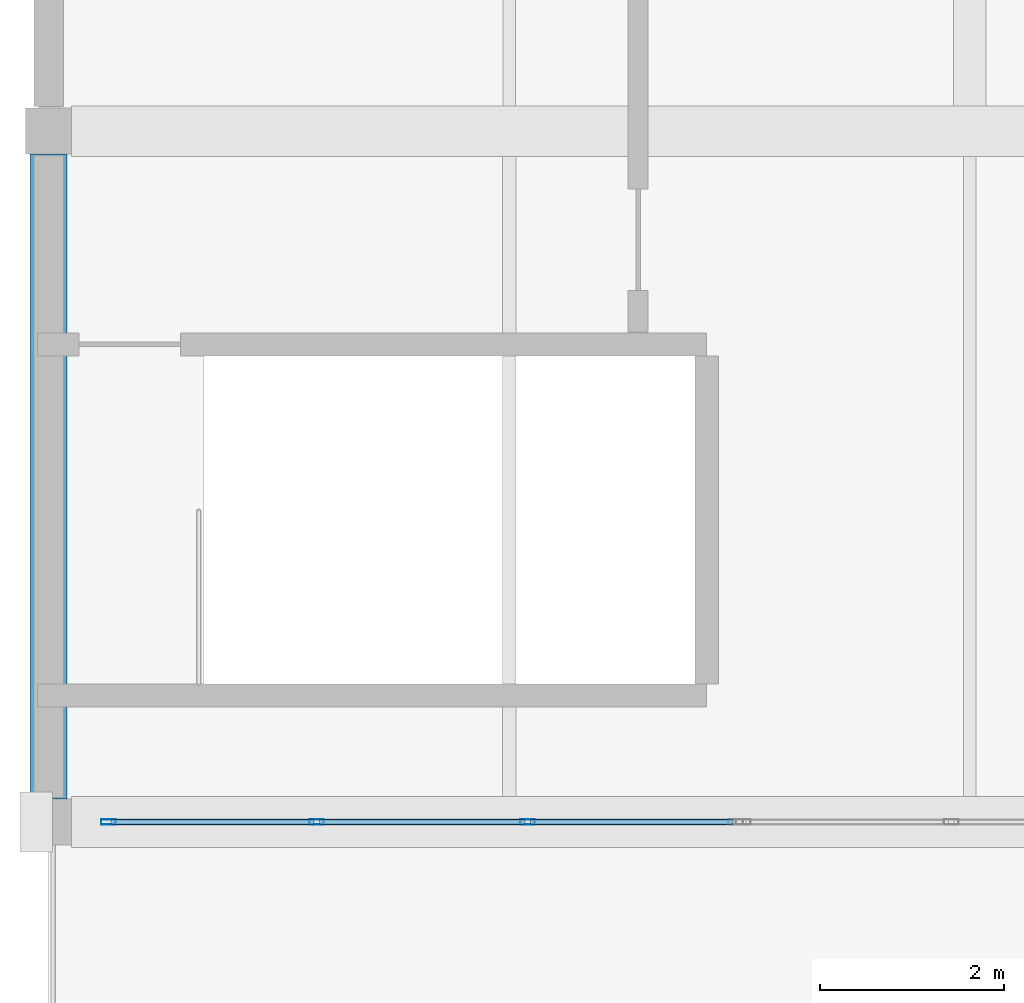
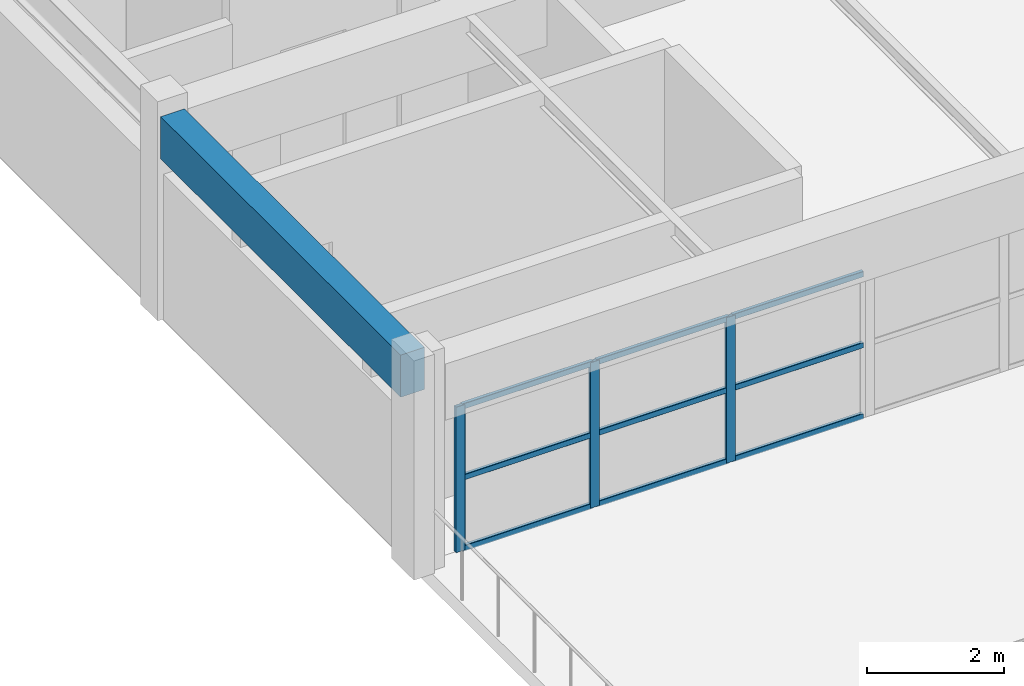
# One storey, part 2 of 82: 12 members, 1 beam, 1 element without a shape of its own.
"""IFC4 building model written with IfcOpenShell, lengths in metres."""

from ifc_helpers import new_model, si_unit, direction, frame, origin, origin_2d, place, context, subcontext, project, spatial, rectangle, hollow_rectangle, extrude, material, material_profile, profile_set, type_object, element, aggregate, save


model = new_model("IFC4")

# Units and contexts
model_context = context("Model", 3, precision=1e-05, world=origin(), true_north=direction((0.0, 1.0)))
body_context = subcontext(model_context, "Body", "Model", "MODEL_VIEW")
ifc_project = project(units=[si_unit("LENGTHUNIT", "METRE"), si_unit("AREAUNIT", "SQUARE_METRE"), si_unit("VOLUMEUNIT", "CUBIC_METRE"), si_unit("PLANEANGLEUNIT", "RADIAN"), si_unit("MASSUNIT", "GRAM", prefix="KILO")], contexts=[model_context])

# Site, building, storey
site_placement = place(None, origin())
site = spatial("IfcSite", under=ifc_project, at=site_placement, CompositionType="ELEMENT")
building_placement = place(site_placement, origin())
building = spatial("IfcBuilding", under=site, at=building_placement, Name="Qasida Concert Hall", CompositionType="ELEMENT")
storey_placement = place(building_placement, frame((0.0, 0.0, 17.10009765625)))
storey = spatial("IfcBuildingStorey", under=building, at=storey_placement, Name="L04", CompositionType="ELEMENT", Elevation=17.10009765625)

# Beam
ifc_material_1 = material(Name="Concrete C40/50", Category="concrete")
ifc_material_profile_1 = material_profile(ifc_material_1, rectangle(XDim=0.39990234375, YDim=0.75, at=origin_2d()), Name="RC 400x750")
ifc_profile_set_1 = profile_set([ifc_material_profile_1], Name="Concrete C40/50")
beam_type = type_object("IfcBeamType", Name="BM-SP1", PredefinedType="SPANDREL", material=ifc_profile_set_1)
beam_placement = place(storey_placement, frame((0.0, 22.75, 3.244873046875), z_axis=(0.0, 1.0, 0.0), x_axis=(-1.0, 0.0, 0.0)))
element("IfcBeam", 1, at=beam_placement, inside=storey, type_object=beam_type, Name="L04 girder 1903", PredefinedType="SPANDREL", context=body_context, shape_type="SweptSolid", body=[
    extrude(rectangle(XDim=0.39990234375, YDim=0.75, at=origin_2d()), origin(), (0.0, 0.0, 1.0), 7.0),
])

# Curtain wall, members
ifc_material_2 = material(Name="Architectural bronze-anodized aluminium and low-E glass", Category="aluminium")
curtain_wall_type = type_object("IfcCurtainWallType", Name="CW-12", PredefinedType="NOTDEFINED", material=ifc_material_2)
curtain_wall_placement = place(storey_placement, origin())
curtain_wall = element("IfcCurtainWall", 2, at=curtain_wall_placement, inside=storey, type_object=curtain_wall_type, Name="L04 curtain wall CW-12 0130", PredefinedType="NOTDEFINED")
ifc_material_3 = material(Name="Architectural bronze-anodized aluminium EN AW-6063", Category="aluminium")
ifc_material_profile_2 = material_profile(ifc_material_3, hollow_rectangle(XDim=0.06005859375, YDim=0.159912109375, WallThickness=0.00390625, InnerFilletRadius=0.00390625, OuterFilletRadius=0.008056640625, at=origin_2d()), Name="CWM 160x60x4")
ifc_profile_set_2 = profile_set([ifc_material_profile_2], Name="Architectural bronze-anodized aluminium EN AW-6063")
member_type_1 = type_object("IfcMemberType", Name="MB-CWM-3", PredefinedType="MULLION", material=ifc_profile_set_2)
member_1_placement = place(storey_placement, frame((0.64990234375, 22.5, 0.0), z_axis=(0.0, 0.0, 1.0), x_axis=(0.0, 1.0, 0.0)))
member_1 = element("IfcMember", 3, at=member_1_placement, type_object=member_type_1, Name="CW-12 mullion 1", PredefinedType="MULLION", context=body_context, shape_type="SweptSolid", body=[
    extrude(hollow_rectangle(XDim=0.06005859375, YDim=0.159912109375, WallThickness=0.00390625, InnerFilletRadius=0.00390625, OuterFilletRadius=0.008056640625, at=origin_2d()), origin(), (0.0, 0.0, 1.0), 2.58984375),
])
member_2_placement = place(storey_placement, frame((2.909912109375, 22.5, 0.0), z_axis=(0.0, 0.0, 1.0), x_axis=(0.0, 1.0, 0.0)))
member_2 = element("IfcMember", 4, at=member_2_placement, type_object=member_type_1, Name="CW-12 mullion 2", PredefinedType="MULLION", context=body_context, shape_type="SweptSolid", body=[
    extrude(hollow_rectangle(XDim=0.06005859375, YDim=0.159912109375, WallThickness=0.00390625, InnerFilletRadius=0.00390625, OuterFilletRadius=0.008056640625, at=origin_2d()), origin(), (0.0, 0.0, 1.0), 2.58984375),
])
member_3_placement = place(storey_placement, frame((5.199951171875, 22.5, 0.0), z_axis=(0.0, 0.0, 1.0), x_axis=(0.0, 1.0, 0.0)))
member_3 = element("IfcMember", 5, at=member_3_placement, type_object=member_type_1, Name="CW-12 mullion 3", PredefinedType="MULLION", context=body_context, shape_type="SweptSolid", body=[
    extrude(hollow_rectangle(XDim=0.06005859375, YDim=0.159912109375, WallThickness=0.00390625, InnerFilletRadius=0.00390625, OuterFilletRadius=0.008056640625, at=origin_2d()), origin(), (0.0, 0.0, 1.0), 2.58984375),
])
ifc_material_profile_3 = material_profile(ifc_material_3, hollow_rectangle(XDim=0.06005859375, YDim=0.10009765625, WallThickness=0.00341796875, InnerFilletRadius=0.00341796875, OuterFilletRadius=0.007080078125, at=origin_2d()), Name="CWT 100x60x3.5")
ifc_profile_set_3 = profile_set([ifc_material_profile_3], Name="Architectural bronze-anodized aluminium EN AW-6063")
member_type_2 = type_object("IfcMemberType", Name="MB-CWT-3", PredefinedType="USERDEFINED", material=ifc_profile_set_3)
member_4_placement = place(storey_placement, frame((0.679931640625, 22.5, 0.02978515625), z_axis=(1.0, 0.0, 0.0), x_axis=(0.0, 1.0, 0.0)))
member_4 = element("IfcMember", 6, at=member_4_placement, type_object=member_type_2, Name="CW-12 transom 1.1", ObjectType="TRANSOM", PredefinedType="USERDEFINED", context=body_context, shape_type="SweptSolid", body=[
    extrude(hollow_rectangle(XDim=0.06005859375, YDim=0.10009765625, WallThickness=0.00341796875, InnerFilletRadius=0.00341796875, OuterFilletRadius=0.007080078125, at=origin_2d()), origin(), (0.0, 0.0, 1.0), 2.199951171875),
])
member_5_placement = place(storey_placement, frame((0.679931640625, 22.5, 1.294921875), z_axis=(1.0, 0.0, 0.0), x_axis=(0.0, 1.0, 0.0)))
member_5 = element("IfcMember", 7, at=member_5_placement, type_object=member_type_2, Name="CW-12 transom 1.2", ObjectType="TRANSOM", PredefinedType="USERDEFINED", context=body_context, shape_type="SweptSolid", body=[
    extrude(hollow_rectangle(XDim=0.06005859375, YDim=0.10009765625, WallThickness=0.00341796875, InnerFilletRadius=0.00341796875, OuterFilletRadius=0.007080078125, at=origin_2d()), origin(), (0.0, 0.0, 1.0), 2.199951171875),
])
member_6_placement = place(storey_placement, frame((0.679931640625, 22.5, 2.559814453125), z_axis=(1.0, 0.0, 0.0), x_axis=(0.0, 1.0, 0.0)))
member_6 = element("IfcMember", 8, at=member_6_placement, type_object=member_type_2, Name="CW-12 transom 1.3", ObjectType="TRANSOM", PredefinedType="USERDEFINED", context=body_context, shape_type="SweptSolid", body=[
    extrude(hollow_rectangle(XDim=0.06005859375, YDim=0.10009765625, WallThickness=0.00341796875, InnerFilletRadius=0.00341796875, OuterFilletRadius=0.007080078125, at=origin_2d()), origin(), (0.0, 0.0, 1.0), 2.199951171875),
])
member_7_placement = place(storey_placement, frame((2.93994140625, 22.5, 0.02978515625), z_axis=(1.0, 0.0, 0.0), x_axis=(0.0, 1.0, 0.0)))
member_7 = element("IfcMember", 9, at=member_7_placement, type_object=member_type_2, Name="CW-12 transom 2.1", ObjectType="TRANSOM", PredefinedType="USERDEFINED", context=body_context, shape_type="SweptSolid", body=[
    extrude(hollow_rectangle(XDim=0.06005859375, YDim=0.10009765625, WallThickness=0.00341796875, InnerFilletRadius=0.00341796875, OuterFilletRadius=0.007080078125, at=origin_2d()), origin(), (0.0, 0.0, 1.0), 2.22998046875),
])
member_8_placement = place(storey_placement, frame((2.93994140625, 22.5, 1.294921875), z_axis=(1.0, 0.0, 0.0), x_axis=(0.0, 1.0, 0.0)))
member_8 = element("IfcMember", 10, at=member_8_placement, type_object=member_type_2, Name="CW-12 transom 2.2", ObjectType="TRANSOM", PredefinedType="USERDEFINED", context=body_context, shape_type="SweptSolid", body=[
    extrude(hollow_rectangle(XDim=0.06005859375, YDim=0.10009765625, WallThickness=0.00341796875, InnerFilletRadius=0.00341796875, OuterFilletRadius=0.007080078125, at=origin_2d()), origin(), (0.0, 0.0, 1.0), 2.22998046875),
])
member_9_placement = place(storey_placement, frame((2.93994140625, 22.5, 2.559814453125), z_axis=(1.0, 0.0, 0.0), x_axis=(0.0, 1.0, 0.0)))
member_9 = element("IfcMember", 11, at=member_9_placement, type_object=member_type_2, Name="CW-12 transom 2.3", ObjectType="TRANSOM", PredefinedType="USERDEFINED", context=body_context, shape_type="SweptSolid", body=[
    extrude(hollow_rectangle(XDim=0.06005859375, YDim=0.10009765625, WallThickness=0.00341796875, InnerFilletRadius=0.00341796875, OuterFilletRadius=0.007080078125, at=origin_2d()), origin(), (0.0, 0.0, 1.0), 2.22998046875),
])
member_10_placement = place(storey_placement, frame((5.22998046875, 22.5, 0.02978515625), z_axis=(1.0, 0.0, 0.0), x_axis=(0.0, 1.0, 0.0)))
member_10 = element("IfcMember", 12, at=member_10_placement, type_object=member_type_2, Name="CW-12 transom 3.1", ObjectType="TRANSOM", PredefinedType="USERDEFINED", context=body_context, shape_type="SweptSolid", body=[
    extrude(hollow_rectangle(XDim=0.06005859375, YDim=0.10009765625, WallThickness=0.00341796875, InnerFilletRadius=0.00341796875, OuterFilletRadius=0.007080078125, at=origin_2d()), origin(), (0.0, 0.0, 1.0), 2.199951171875),
])
member_11_placement = place(storey_placement, frame((5.22998046875, 22.5, 1.294921875), z_axis=(1.0, 0.0, 0.0), x_axis=(0.0, 1.0, 0.0)))
member_11 = element("IfcMember", 13, at=member_11_placement, type_object=member_type_2, Name="CW-12 transom 3.2", ObjectType="TRANSOM", PredefinedType="USERDEFINED", context=body_context, shape_type="SweptSolid", body=[
    extrude(hollow_rectangle(XDim=0.06005859375, YDim=0.10009765625, WallThickness=0.00341796875, InnerFilletRadius=0.00341796875, OuterFilletRadius=0.007080078125, at=origin_2d()), origin(), (0.0, 0.0, 1.0), 2.199951171875),
])
member_12_placement = place(storey_placement, frame((5.22998046875, 22.5, 2.559814453125), z_axis=(1.0, 0.0, 0.0), x_axis=(0.0, 1.0, 0.0)))
member_12 = element("IfcMember", 14, at=member_12_placement, type_object=member_type_2, Name="CW-12 transom 3.3", ObjectType="TRANSOM", PredefinedType="USERDEFINED", context=body_context, shape_type="SweptSolid", body=[
    extrude(hollow_rectangle(XDim=0.06005859375, YDim=0.10009765625, WallThickness=0.00341796875, InnerFilletRadius=0.00341796875, OuterFilletRadius=0.007080078125, at=origin_2d()), origin(), (0.0, 0.0, 1.0), 2.199951171875),
])
aggregate(curtain_wall, [member_1, member_2, member_3, member_4, member_5, member_6, member_7, member_8, member_9, member_10, member_11, member_12])

save(model, "model.ifc")
